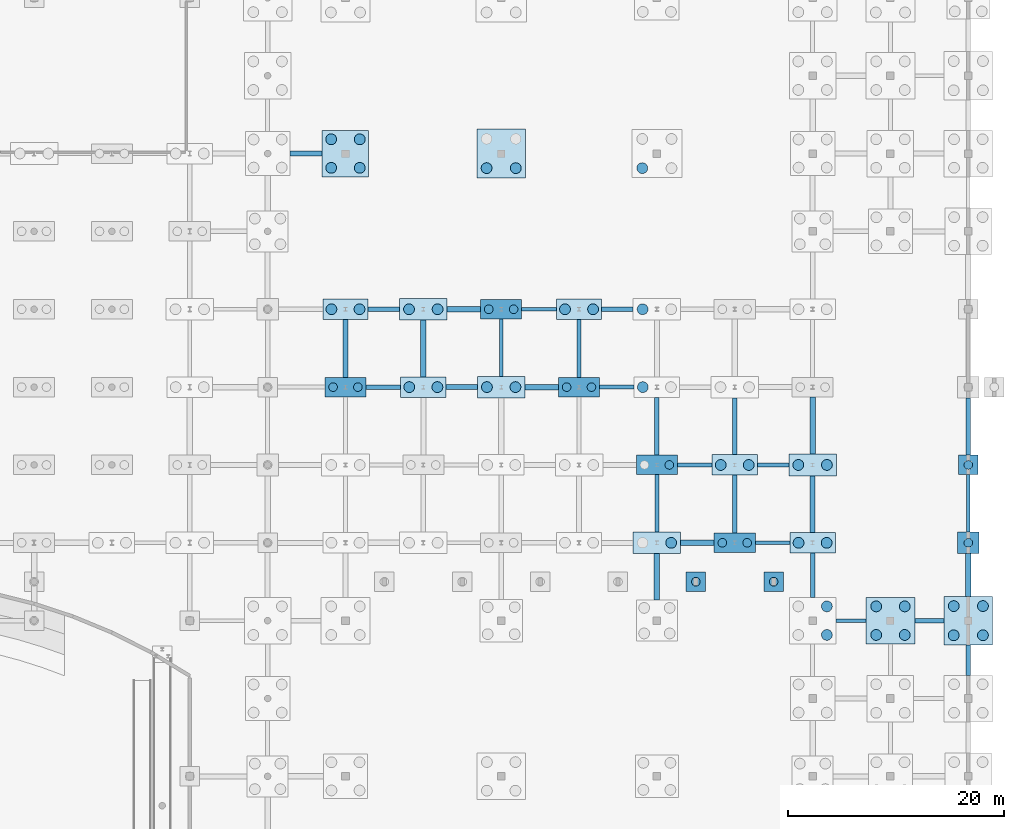
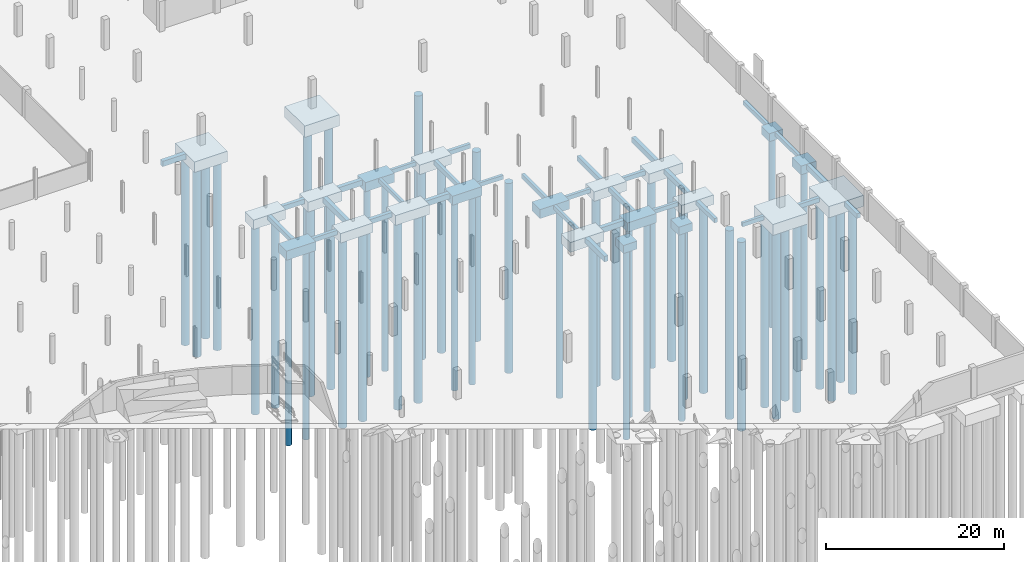
# One storey, part 15 of 56: 53 footings, 49 piles.
"""IFC4 building model written with IfcOpenShell, lengths in metres."""

from ifc_helpers import new_model, si_unit, direction, frame, origin, origin_2d, place, context, subcontext, project, spatial, rectangle, circle, extrude, material, material_profile, profile_set, type_object, element, save


model = new_model("IFC4")

# Units and contexts
model_context = context("Model", 3, precision=1e-05, world=origin(), true_north=direction((0.0, 1.0)))
body_context = subcontext(model_context, "Body", "Model", "MODEL_VIEW")
ifc_project = project(units=[si_unit("LENGTHUNIT", "METRE"), si_unit("AREAUNIT", "SQUARE_METRE"), si_unit("VOLUMEUNIT", "CUBIC_METRE"), si_unit("PLANEANGLEUNIT", "RADIAN"), si_unit("MASSUNIT", "GRAM", prefix="KILO")], contexts=[model_context])

# Site, building, storey
site_placement = place(None, origin())
site = spatial("IfcSite", under=ifc_project, at=site_placement, CompositionType="ELEMENT")
building_placement = place(site_placement, origin())
building = spatial("IfcBuilding", under=site, at=building_placement, Name="Suanplinth Sawtooth Commons", CompositionType="ELEMENT")
storey_placement = place(building_placement, frame((0.0, 0.0, -4.199951171875)))
storey = spatial("IfcBuildingStorey", under=building, at=storey_placement, Name="B1", CompositionType="ELEMENT", Elevation=-4.199951171875)

# Footings
ifc_material_1 = material(Name="Concrete C35/45", Category="concrete")
ifc_material_profile_1 = material_profile(ifc_material_1, rectangle(XDim=0.449951171875, YDim=0.64990234375, at=origin_2d()), Name="PC-GDR 450x650")
ifc_profile_set_1 = profile_set([ifc_material_profile_1], Name="Concrete C35/45")
footing_type_1 = type_object("IfcFootingType", Name="FB-01", PredefinedType="FOOTING_BEAM", material=ifc_profile_set_1)
footing_1_placement = place(storey_placement, frame((129.60009765625, 65.699951171875, -0.824951171875), z_axis=(0.0, 1.0, 0.0), x_axis=(-1.0, 0.0, 0.0)))
element("IfcFooting", 1, at=footing_1_placement, inside=storey, type_object=footing_type_1, Name="Foundation Tie Beam 19/K-L", PredefinedType="FOOTING_BEAM", context=body_context, shape_type="SweptSolid", body=[
    extrude(rectangle(XDim=0.449951171875, YDim=0.64990234375, at=origin_2d()), origin(), (0.0, 0.0, 1.0), 5.35009765625),
])
for number, where, z_axis, x_axis, name in (
    (2, (131.699951171875, 72.0, -0.824951171875), (1.0, 0.0, 0.0), (0.0, 1.0, 0.0), "Foundation Tie Beam 19-20/L"),
    (3, (138.89990234375, 64.800048828125, -0.824951171875), (1.0, 0.0, 0.0), (0.0, 1.0, 0.0), "Foundation Tie Beam 20-21/K"),
):
    element("IfcFooting", number, at=place(storey_placement, frame(where, z_axis=z_axis, x_axis=x_axis)), inside=storey, type_object=footing_type_1, Name=name, PredefinedType="FOOTING_BEAM", context=body_context, shape_type="SweptSolid", body=[
        extrude(rectangle(XDim=0.449951171875, YDim=0.64990234375, at=origin_2d()), origin(), (0.0, 0.0, 1.0), 2.900146484375),
    ])
for number, where, z_axis, x_axis, name in (
    (4, (165.60009765625, 58.550048828125, -0.824951171875), (0.0, 1.0, 0.0), (-1.0, 0.0, 0.0), "Foundation Tie Beam 24/J-K"),
    (5, (172.800048828125, 51.35009765625, -0.824951171875), (0.0, 1.0, 0.0), (-1.0, 0.0, 0.0), "Foundation Tie Beam 25/H-J"),
):
    element("IfcFooting", number, at=place(storey_placement, frame(where, z_axis=z_axis, x_axis=x_axis)), inside=storey, type_object=footing_type_1, Name=name, PredefinedType="FOOTING_BEAM", context=body_context, shape_type="SweptSolid", body=[
        extrude(rectangle(XDim=0.449951171875, YDim=0.64990234375, at=origin_2d()), origin(), (0.0, 0.0, 1.0), 5.25),
    ])
footing_2_placement = place(storey_placement, frame((187.199951171875, 38.14990234375, -0.824951171875), z_axis=(0.0, 1.0, 0.0), x_axis=(-1.0, 0.0, 0.0)))
element("IfcFooting", 6, at=footing_2_placement, inside=storey, type_object=footing_type_1, Name="Foundation Tie Beam 27/F-G", PredefinedType="FOOTING_BEAM", context=body_context, shape_type="SweptSolid", body=[
    extrude(rectangle(XDim=0.449951171875, YDim=0.64990234375, at=origin_2d()), origin(), (0.0, 0.0, 1.0), 2.800048828125),
])
ifc_material_profile_2 = material_profile(ifc_material_1, rectangle(XDim=0.5, YDim=0.75, at=origin_2d()), Name="RC-GDR 500x750")
ifc_profile_set_2 = profile_set([ifc_material_profile_2], Name="Concrete C35/45")
footing_type_2 = type_object("IfcFootingType", Name="FB-02", PredefinedType="FOOTING_BEAM", material=ifc_profile_set_2)
footing_3_placement = place(storey_placement, frame((124.449951171875, 86.39990234375, -0.875), z_axis=(1.0, 0.0, 0.0), x_axis=(0.0, 1.0, 0.0)))
element("IfcFooting", 7, at=footing_3_placement, inside=storey, type_object=footing_type_2, Name="Foundation Tie Beam 18-19/N", PredefinedType="FOOTING_BEAM", context=body_context, shape_type="SweptSolid", body=[
    extrude(rectangle(XDim=0.5, YDim=0.75, at=origin_2d()), origin(), (0.0, 0.0, 1.0), 3.0),
])
footing_4_placement = place(storey_placement, frame((136.800048828125, 65.75, -0.875), z_axis=(0.0, 1.0, 0.0), x_axis=(-1.0, 0.0, 0.0)))
element("IfcFooting", 8, at=footing_4_placement, inside=storey, type_object=footing_type_2, Name="Foundation Tie Beam 20/K-L", PredefinedType="FOOTING_BEAM", context=body_context, shape_type="SweptSolid", body=[
    extrude(rectangle(XDim=0.5, YDim=0.75, at=origin_2d()), origin(), (0.0, 0.0, 1.0), 5.25),
])
for number, where, z_axis, x_axis, name in (
    (9, (139.0, 72.0, -0.875), (1.0, 0.0, 0.0), (0.0, 1.0, 0.0), "Foundation Tie Beam 20-21/L"),
    (10, (146.199951171875, 64.800048828125, -0.875), (1.0, 0.0, 0.0), (0.0, 1.0, 0.0), "Foundation Tie Beam 21-22/K"),
):
    element("IfcFooting", number, at=place(storey_placement, frame(where, z_axis=z_axis, x_axis=x_axis)), inside=storey, type_object=footing_type_2, Name=name, PredefinedType="FOOTING_BEAM", context=body_context, shape_type="SweptSolid", body=[
        extrude(rectangle(XDim=0.5, YDim=0.75, at=origin_2d()), origin(), (0.0, 0.0, 1.0), 3.10009765625),
    ])
footing_5_placement = place(storey_placement, frame((158.39990234375, 45.10009765625, -0.875), z_axis=(0.0, 1.0, 0.0), x_axis=(-1.0, 0.0, 0.0)))
element("IfcFooting", 11, at=footing_5_placement, inside=storey, type_object=footing_type_2, Name="Foundation Tie Beam 23/G-H", PredefinedType="FOOTING_BEAM", context=body_context, shape_type="SweptSolid", body=[
    extrude(rectangle(XDim=0.5, YDim=0.75, at=origin_2d()), origin(), (0.0, 0.0, 1.0), 4.2998046875),
])
footing_6_placement = place(storey_placement, frame((160.60009765625, 50.39990234375, -0.875), z_axis=(1.0, 0.0, 0.0), x_axis=(0.0, 1.0, 0.0)))
element("IfcFooting", 12, at=footing_6_placement, inside=storey, type_object=footing_type_2, Name="Foundation Tie Beam 23-24/H", PredefinedType="FOOTING_BEAM", context=body_context, shape_type="SweptSolid", body=[
    extrude(rectangle(XDim=0.5, YDim=0.75, at=origin_2d()), origin(), (0.0, 0.0, 1.0), 3.099853515625),
])
footing_7_placement = place(storey_placement, frame((172.800048828125, 58.60009765625, -0.875), z_axis=(0.0, 1.0, 0.0), x_axis=(-1.0, 0.0, 0.0)))
element("IfcFooting", 13, at=footing_7_placement, inside=storey, type_object=footing_type_2, Name="Foundation Tie Beam 25/J-K", PredefinedType="FOOTING_BEAM", context=body_context, shape_type="SweptSolid", body=[
    extrude(rectangle(XDim=0.5, YDim=0.75, at=origin_2d()), origin(), (0.0, 0.0, 1.0), 5.2998046875),
])
footing_8_placement = place(storey_placement, frame((187.199951171875, 45.449951171875, -0.875), z_axis=(0.0, 1.0, 0.0), x_axis=(-1.0, 0.0, 0.0)))
element("IfcFooting", 14, at=footing_8_placement, inside=storey, type_object=footing_type_2, Name="Foundation Tie Beam 27/G-H", PredefinedType="FOOTING_BEAM", context=body_context, shape_type="SweptSolid", body=[
    extrude(rectangle(XDim=0.5, YDim=0.75, at=origin_2d()), origin(), (0.0, 0.0, 1.0), 3.949951171875),
])
ifc_material_profile_3 = material_profile(ifc_material_1, rectangle(XDim=0.35009765625, YDim=0.550048828125, at=origin_2d()), Name="PC-BM 350x550")
ifc_profile_set_3 = profile_set([ifc_material_profile_3], Name="Concrete C35/45")
footing_type_3 = type_object("IfcFootingType", Name="FB-03", PredefinedType="FOOTING_BEAM", material=ifc_profile_set_3)
footing_9_placement = place(storey_placement, frame((144.0, 65.800048828125, -0.775146484375), z_axis=(0.0, 1.0, 0.0), x_axis=(-1.0, 0.0, 0.0)))
element("IfcFooting", 15, at=footing_9_placement, inside=storey, type_object=footing_type_3, Name="Foundation Tie Beam 21/K-L", PredefinedType="FOOTING_BEAM", context=body_context, shape_type="SweptSolid", body=[
    extrude(rectangle(XDim=0.35009765625, YDim=0.550048828125, at=origin_2d()), origin(), (0.0, 0.0, 1.0), 5.300048828125),
])
footing_10_placement = place(storey_placement, frame((145.89990234375, 72.0, -0.775146484375), z_axis=(1.0, 0.0, 0.0), x_axis=(0.0, 1.0, 0.0)))
element("IfcFooting", 16, at=footing_10_placement, inside=storey, type_object=footing_type_3, Name="Foundation Tie Beam 21-22/L", PredefinedType="FOOTING_BEAM", context=body_context, shape_type="SweptSolid", body=[
    extrude(rectangle(XDim=0.35009765625, YDim=0.550048828125, at=origin_2d()), origin(), (0.0, 0.0, 1.0), 3.2001953125),
])
footing_11_placement = place(storey_placement, frame((153.10009765625, 64.800048828125, -0.775146484375), z_axis=(1.0, 0.0, 0.0), x_axis=(0.0, 1.0, 0.0)))
element("IfcFooting", 17, at=footing_11_placement, inside=storey, type_object=footing_type_3, Name="Foundation Tie Beam 22-23/K", PredefinedType="FOOTING_BEAM", context=body_context, shape_type="SweptSolid", body=[
    extrude(rectangle(XDim=0.35009765625, YDim=0.550048828125, at=origin_2d()), origin(), (0.0, 0.0, 1.0), 3.199951171875),
])
footing_12_placement = place(storey_placement, frame((158.39990234375, 51.39990234375, -0.775146484375), z_axis=(0.0, 1.0, 0.0), x_axis=(-1.0, 0.0, 0.0)))
element("IfcFooting", 18, at=footing_12_placement, inside=storey, type_object=footing_type_3, Name="Foundation Tie Beam 23/H-J", PredefinedType="FOOTING_BEAM", context=body_context, shape_type="SweptSolid", body=[
    extrude(rectangle(XDim=0.35009765625, YDim=0.550048828125, at=origin_2d()), origin(), (0.0, 0.0, 1.0), 5.300048828125),
])
for number, where, z_axis, x_axis, name in (
    (19, (160.300048828125, 57.60009765625, -0.775146484375), (1.0, 0.0, 0.0), (0.0, 1.0, 0.0), "Foundation Tie Beam 23-24/J"),
    (20, (167.5, 50.39990234375, -0.775146484375), (1.0, 0.0, 0.0), (0.0, 1.0, 0.0), "Foundation Tie Beam 24-25/H"),
):
    element("IfcFooting", number, at=place(storey_placement, frame(where, z_axis=z_axis, x_axis=x_axis)), inside=storey, type_object=footing_type_3, Name=name, PredefinedType="FOOTING_BEAM", context=body_context, shape_type="SweptSolid", body=[
        extrude(rectangle(XDim=0.35009765625, YDim=0.550048828125, at=origin_2d()), origin(), (0.0, 0.0, 1.0), 3.199951171875),
    ])
footing_13_placement = place(storey_placement, frame((174.949951171875, 43.199951171875, -0.775146484375), z_axis=(1.0, 0.0, 0.0), x_axis=(0.0, 1.0, 0.0)))
element("IfcFooting", 21, at=footing_13_placement, inside=storey, type_object=footing_type_3, Name="Foundation Tie Beam 25-26/G", PredefinedType="FOOTING_BEAM", context=body_context, shape_type="SweptSolid", body=[
    extrude(rectangle(XDim=0.35009765625, YDim=0.550048828125, at=origin_2d()), origin(), (0.0, 0.0, 1.0), 2.800048828125),
])
footing_14_placement = place(storey_placement, frame((187.199951171875, 51.39990234375, -0.775146484375), z_axis=(0.0, 1.0, 0.0), x_axis=(-1.0, 0.0, 0.0)))
element("IfcFooting", 22, at=footing_14_placement, inside=storey, type_object=footing_type_3, Name="Foundation Tie Beam 27/H-J", PredefinedType="FOOTING_BEAM", context=body_context, shape_type="SweptSolid", body=[
    extrude(rectangle(XDim=0.35009765625, YDim=0.550048828125, at=origin_2d()), origin(), (0.0, 0.0, 1.0), 5.300048828125),
])
ifc_material_profile_4 = material_profile(ifc_material_1, rectangle(XDim=0.39990234375, YDim=0.60009765625, at=origin_2d()), Name="PC-GDR 400x600")
ifc_profile_set_4 = profile_set([ifc_material_profile_4], Name="Concrete C35/45")
footing_type_4 = type_object("IfcFootingType", Name="FB-04", PredefinedType="FOOTING_BEAM", material=ifc_profile_set_4)
footing_15_placement = place(storey_placement, frame((131.5, 64.800048828125, -0.800048828125), z_axis=(1.0, 0.0, 0.0), x_axis=(0.0, 1.0, 0.0)))
element("IfcFooting", 23, at=footing_15_placement, inside=storey, type_object=footing_type_4, Name="Foundation Tie Beam 19-20/K", PredefinedType="FOOTING_BEAM", context=body_context, shape_type="SweptSolid", body=[
    extrude(rectangle(XDim=0.39990234375, YDim=0.60009765625, at=origin_2d()), origin(), (0.0, 0.0, 1.0), 3.199951171875),
])
footing_16_placement = place(storey_placement, frame((151.199951171875, 65.699951171875, -0.800048828125), z_axis=(0.0, 1.0, 0.0), x_axis=(-1.0, 0.0, 0.0)))
element("IfcFooting", 24, at=footing_16_placement, inside=storey, type_object=footing_type_4, Name="Foundation Tie Beam 22/K-L", PredefinedType="FOOTING_BEAM", context=body_context, shape_type="SweptSolid", body=[
    extrude(rectangle(XDim=0.39990234375, YDim=0.60009765625, at=origin_2d()), origin(), (0.0, 0.0, 1.0), 5.35009765625),
])
footing_17_placement = place(storey_placement, frame((153.300048828125, 72.0, -0.800048828125), z_axis=(1.0, 0.0, 0.0), x_axis=(0.0, 1.0, 0.0)))
element("IfcFooting", 25, at=footing_17_placement, inside=storey, type_object=footing_type_4, Name="Foundation Tie Beam 22-23/L", PredefinedType="FOOTING_BEAM", context=body_context, shape_type="SweptSolid", body=[
    extrude(rectangle(XDim=0.39990234375, YDim=0.60009765625, at=origin_2d()), origin(), (0.0, 0.0, 1.0), 2.89990234375),
])
footing_18_placement = place(storey_placement, frame((158.39990234375, 58.5, -0.800048828125), z_axis=(0.0, 1.0, 0.0), x_axis=(-1.0, 0.0, 0.0)))
element("IfcFooting", 26, at=footing_18_placement, inside=storey, type_object=footing_type_4, Name="Foundation Tie Beam 23/J-K", PredefinedType="FOOTING_BEAM", context=body_context, shape_type="SweptSolid", body=[
    extrude(rectangle(XDim=0.39990234375, YDim=0.60009765625, at=origin_2d()), origin(), (0.0, 0.0, 1.0), 5.35009765625),
])
footing_19_placement = place(storey_placement, frame((165.60009765625, 51.300048828125, -0.800048828125), z_axis=(0.0, 1.0, 0.0), x_axis=(-1.0, 0.0, 0.0)))
element("IfcFooting", 27, at=footing_19_placement, inside=storey, type_object=footing_type_4, Name="Foundation Tie Beam 24/H-J", PredefinedType="FOOTING_BEAM", context=body_context, shape_type="SweptSolid", body=[
    extrude(rectangle(XDim=0.39990234375, YDim=0.60009765625, at=origin_2d()), origin(), (0.0, 0.0, 1.0), 5.349853515625),
])
footing_20_placement = place(storey_placement, frame((167.699951171875, 57.60009765625, -0.800048828125), z_axis=(1.0, 0.0, 0.0), x_axis=(0.0, 1.0, 0.0)))
element("IfcFooting", 28, at=footing_20_placement, inside=storey, type_object=footing_type_4, Name="Foundation Tie Beam 24-25/J", PredefinedType="FOOTING_BEAM", context=body_context, shape_type="SweptSolid", body=[
    extrude(rectangle(XDim=0.39990234375, YDim=0.60009765625, at=origin_2d()), origin(), (0.0, 0.0, 1.0), 2.900146484375),
])
footing_21_placement = place(storey_placement, frame((172.800048828125, 45.35009765625, -0.800048828125), z_axis=(0.0, 1.0, 0.0), x_axis=(-1.0, 0.0, 0.0)))
element("IfcFooting", 29, at=footing_21_placement, inside=storey, type_object=footing_type_4, Name="Foundation Tie Beam 25/G-H", PredefinedType="FOOTING_BEAM", context=body_context, shape_type="SweptSolid", body=[
    extrude(rectangle(XDim=0.39990234375, YDim=0.60009765625, at=origin_2d()), origin(), (0.0, 0.0, 1.0), 4.099853515625),
])
footing_22_placement = place(storey_placement, frame((182.25, 43.199951171875, -0.800048828125), z_axis=(1.0, 0.0, 0.0), x_axis=(0.0, 1.0, 0.0)))
element("IfcFooting", 30, at=footing_22_placement, inside=storey, type_object=footing_type_4, Name="Foundation Tie Beam 26-27/G", PredefinedType="FOOTING_BEAM", context=body_context, shape_type="SweptSolid", body=[
    extrude(rectangle(XDim=0.39990234375, YDim=0.60009765625, at=origin_2d()), origin(), (0.0, 0.0, 1.0), 2.699951171875),
])
footing_23_placement = place(storey_placement, frame((187.199951171875, 58.5, -0.800048828125), z_axis=(0.0, 1.0, 0.0), x_axis=(-1.0, 0.0, 0.0)))
element("IfcFooting", 31, at=footing_23_placement, inside=storey, type_object=footing_type_4, Name="Foundation Tie Beam 27/J-K", PredefinedType="FOOTING_BEAM", context=body_context, shape_type="SweptSolid", body=[
    extrude(rectangle(XDim=0.39990234375, YDim=0.60009765625, at=origin_2d()), origin(), (0.0, 0.0, 1.0), 5.300048828125),
])
footing_type_5 = type_object("IfcFootingType", Name="FC-01", PredefinedType="PILE_CAP", material=ifc_material_1)
for number, where, z_axis, x_axis, name in (
    (32, (187.199951171875, 57.60009765625, -1.60009765625), (0.0, 0.0, 1.0), (1.0, 0.0, 0.0), "Pile Cap 27/J"),
    (33, (162.0, 46.800048828125, -1.60009765625), (0.0, 0.0, 1.0), (1.0, 0.0, 0.0), "Veranda Pilaster Cap P11"),
    (34, (169.199951171875, 46.800048828125, -1.60009765625), (0.0, 0.0, 1.0), (1.0, 0.0, 0.0), "Veranda Pilaster Cap P12"),
):
    element("IfcFooting", number, at=place(storey_placement, frame(where, z_axis=z_axis, x_axis=x_axis)), inside=storey, type_object=footing_type_5, Name=name, PredefinedType="PILE_CAP", context=body_context, shape_type="SweptSolid", body=[
        extrude(rectangle(XDim=1.800048828125, YDim=1.800048828125, at=origin_2d()), origin(), (0.0, 0.0, 1.0), 1.10009765625),
    ])
footing_type_6 = type_object("IfcFootingType", Name="FC-02", PredefinedType="PILE_CAP", material=ifc_material_1)
footing_24_placement = place(storey_placement, frame((187.199951171875, 50.39990234375, -1.7001953125), z_axis=(0.0, 0.0, 1.0), x_axis=(1.0, 0.0, 0.0)))
element("IfcFooting", 35, at=footing_24_placement, inside=storey, type_object=footing_type_6, Name="Pile Cap 27/H", PredefinedType="PILE_CAP", context=body_context, shape_type="SweptSolid", body=[
    extrude(rectangle(XDim=2.0, YDim=2.0, at=origin_2d()), origin(), (0.0, 0.0, 1.0), 1.199951171875),
])
footing_type_7 = type_object("IfcFootingType", Name="FC-03", PredefinedType="PILE_CAP", material=ifc_material_1)
for number, where, z_axis, x_axis, name in (
    (36, (129.60009765625, 64.800048828125, -1.75), (0.0, 0.0, 1.0), (1.0, 0.0, 0.0), "Pile Cap 19/K"),
    (37, (144.0, 72.0, -1.75), (0.0, 0.0, 1.0), (1.0, 0.0, 0.0), "Pile Cap 21/L"),
    (38, (151.199951171875, 64.800048828125, -1.75), (0.0, 0.0, 1.0), (1.0, 0.0, 0.0), "Pile Cap 22/K"),
    (39, (158.39990234375, 57.60009765625, -1.75), (0.0, 0.0, 1.0), (1.0, 0.0, 0.0), "Pile Cap 23/J"),
    (40, (165.60009765625, 50.39990234375, -1.75), (0.0, 0.0, 1.0), (1.0, 0.0, 0.0), "Pile Cap 24/H"),
):
    element("IfcFooting", number, at=place(storey_placement, frame(where, z_axis=z_axis, x_axis=x_axis)), inside=storey, type_object=footing_type_7, Name=name, PredefinedType="PILE_CAP", context=body_context, shape_type="SweptSolid", body=[
        extrude(rectangle(XDim=3.800048828125, YDim=1.800048828125, at=origin_2d()), origin(), (0.0, 0.0, 1.0), 1.25),
    ])
footing_type_8 = type_object("IfcFootingType", Name="FC-04", PredefinedType="PILE_CAP", material=ifc_material_1)
for number, where, z_axis, x_axis, name in (
    (41, (129.60009765625, 72.0, -1.80029296875), (0.0, 0.0, 1.0), (1.0, 0.0, 0.0), "Pile Cap 19/L"),
    (42, (136.800048828125, 64.800048828125, -1.80029296875), (0.0, 0.0, 1.0), (1.0, 0.0, 0.0), "Pile Cap 20/K"),
    (43, (151.199951171875, 72.0, -1.80029296875), (0.0, 0.0, 1.0), (1.0, 0.0, 0.0), "Pile Cap 22/L"),
    (44, (165.60009765625, 57.60009765625, -1.80029296875), (0.0, 0.0, 1.0), (1.0, 0.0, 0.0), "Pile Cap 24/J"),
    (45, (172.800048828125, 50.39990234375, -1.80029296875), (0.0, 0.0, 1.0), (1.0, 0.0, 0.0), "Pile Cap 25/H"),
):
    element("IfcFooting", number, at=place(storey_placement, frame(where, z_axis=z_axis, x_axis=x_axis)), inside=storey, type_object=footing_type_8, Name=name, PredefinedType="PILE_CAP", context=body_context, shape_type="SweptSolid", body=[
        extrude(rectangle(XDim=4.199951171875, YDim=1.89990234375, at=origin_2d()), origin(), (0.0, 0.0, 1.0), 1.300048828125),
    ])
footing_type_9 = type_object("IfcFootingType", Name="FC-05", PredefinedType="PILE_CAP", material=ifc_material_1)
for number, where, z_axis, x_axis, name in (
    (46, (136.800048828125, 72.0, -1.85009765625), (0.0, 0.0, 1.0), (1.0, 0.0, 0.0), "Pile Cap 20/L"),
    (47, (144.0, 64.800048828125, -1.85009765625), (0.0, 0.0, 1.0), (1.0, 0.0, 0.0), "Pile Cap 21/K"),
    (48, (158.39990234375, 50.39990234375, -1.85009765625), (0.0, 0.0, 1.0), (1.0, 0.0, 0.0), "Pile Cap 23/H"),
    (49, (172.800048828125, 57.60009765625, -1.85009765625), (0.0, 0.0, 1.0), (1.0, 0.0, 0.0), "Pile Cap 25/J"),
):
    element("IfcFooting", number, at=place(storey_placement, frame(where, z_axis=z_axis, x_axis=x_axis)), inside=storey, type_object=footing_type_9, Name=name, PredefinedType="PILE_CAP", context=body_context, shape_type="SweptSolid", body=[
        extrude(rectangle(XDim=4.39990234375, YDim=2.0, at=origin_2d()), origin(), (0.0, 0.0, 1.0), 1.35009765625),
    ])
footing_type_10 = type_object("IfcFootingType", Name="FC-08", PredefinedType="PILE_CAP", material=ifc_material_1)
footing_25_placement = place(storey_placement, frame((129.60009765625, 86.39990234375, -1.9501953125), z_axis=(0.0, 0.0, 1.0), x_axis=(1.0, 0.0, 0.0)))
element("IfcFooting", 50, at=footing_25_placement, inside=storey, type_object=footing_type_10, Name="Pile Cap 19/N", PredefinedType="PILE_CAP", context=body_context, shape_type="SweptSolid", body=[
    extrude(rectangle(XDim=4.300048828125, YDim=4.300048828125, at=origin_2d()), origin(), (0.0, 0.0, 1.0), 1.449951171875),
])
footing_type_11 = type_object("IfcFootingType", Name="FC-09", PredefinedType="PILE_CAP", material=ifc_material_1)
footing_26_placement = place(storey_placement, frame((180.0, 43.199951171875, -2.0), z_axis=(0.0, 0.0, 1.0), x_axis=(1.0, 0.0, 0.0)))
element("IfcFooting", 51, at=footing_26_placement, inside=storey, type_object=footing_type_11, Name="Pile Cap 26/G", PredefinedType="PILE_CAP", context=body_context, shape_type="SweptSolid", body=[
    extrude(rectangle(XDim=4.5, YDim=4.300048828125, at=origin_2d()), origin(), (0.0, 0.0, 1.0), 1.5),
])
footing_type_12 = type_object("IfcFootingType", Name="FC-10", PredefinedType="PILE_CAP", material=ifc_material_1)
for number, where, z_axis, x_axis, name in (
    (52, (144.0, 86.39990234375, -2.05029296875), (0.0, 0.0, 1.0), (1.0, 0.0, 0.0), "Pile Cap 21/N"),
    (53, (187.199951171875, 43.199951171875, -2.05029296875), (0.0, 0.0, 1.0), (1.0, 0.0, 0.0), "Pile Cap 27/G"),
):
    element("IfcFooting", number, at=place(storey_placement, frame(where, z_axis=z_axis, x_axis=x_axis)), inside=storey, type_object=footing_type_12, Name=name, PredefinedType="PILE_CAP", context=body_context, shape_type="SweptSolid", body=[
        extrude(rectangle(XDim=4.5, YDim=4.5, at=origin_2d()), origin(), (0.0, 0.0, 1.0), 1.550048828125),
    ])

# Piles
ifc_material_2 = material(Name="Concrete C32/40", Category="concrete")
ifc_material_profile_5 = material_profile(ifc_material_2, circle(Radius=0.39990234375, at=origin_2d()), Name="PILE D800")
ifc_profile_set_5 = profile_set([ifc_material_profile_5], Name="Concrete C32/40")
pile_type_1 = type_object("IfcPileType", Name="P-01", PredefinedType="BORED", material=ifc_profile_set_5)
for number, where, z_axis, x_axis, name in (
    (54, (128.449951171875, 64.800048828125, -1.650146484375), (0.0, 0.0, -1.0), (1.0, 0.0, 0.0), "Bored Pile 19/K-1"),
    (55, (130.75, 64.800048828125, -1.650146484375), (0.0, 0.0, -1.0), (1.0, 0.0, 0.0), "Bored Pile 19/K-2"),
    (56, (142.85009765625, 72.0, -1.650146484375), (0.0, 0.0, -1.0), (1.0, 0.0, 0.0), "Bored Pile 21/L-1"),
    (57, (145.14990234375, 72.0, -1.650146484375), (0.0, 0.0, -1.0), (1.0, 0.0, 0.0), "Bored Pile 21/L-2"),
    (58, (150.050048828125, 64.800048828125, -1.650146484375), (0.0, 0.0, -1.0), (1.0, 0.0, 0.0), "Bored Pile 22/K-1"),
    (59, (152.35009765625, 64.800048828125, -1.650146484375), (0.0, 0.0, -1.0), (1.0, 0.0, 0.0), "Bored Pile 22/K-2"),
    (60, (159.550048828125, 57.60009765625, -1.650146484375), (0.0, 0.0, -1.0), (1.0, 0.0, 0.0), "Bored Pile 23/J-2"),
    (61, (164.449951171875, 50.39990234375, -1.650146484375), (0.0, 0.0, -1.0), (1.0, 0.0, 0.0), "Bored Pile 24/H-1"),
    (62, (166.75, 50.39990234375, -1.650146484375), (0.0, 0.0, -1.0), (1.0, 0.0, 0.0), "Bored Pile 24/H-2"),
):
    element("IfcPile", number, at=place(storey_placement, frame(where, z_axis=z_axis, x_axis=x_axis)), inside=storey, type_object=pile_type_1, Name=name, PredefinedType="BORED", context=body_context, shape_type="SweptSolid", body=[
        extrude(circle(Radius=0.39990234375, at=origin_2d()), origin(), (0.0, 0.0, 1.0), 26.14990234375),
    ])
pile_1_placement = place(storey_placement, frame((187.199951171875, 50.39990234375, -1.60009765625), z_axis=(0.0, 0.0, -1.0), x_axis=(1.0, 0.0, 0.0)))
element("IfcPile", 63, at=pile_1_placement, inside=storey, type_object=pile_type_1, Name="Bored Pile 27/H-1", PredefinedType="BORED", context=body_context, shape_type="SweptSolid", body=[
    extrude(circle(Radius=0.39990234375, at=origin_2d()), origin(), (0.0, 0.0, 1.0), 26.199951171875),
])
for number, where, z_axis, x_axis, name in (
    (64, (187.199951171875, 57.60009765625, -1.5), (0.0, 0.0, -1.0), (1.0, 0.0, 0.0), "Bored Pile 27/J-1"),
    (65, (162.0, 46.800048828125, -1.5), (0.0, 0.0, -1.0), (1.0, 0.0, 0.0), "Veranda Pilaster Pile P11"),
    (66, (169.199951171875, 46.800048828125, -1.5), (0.0, 0.0, -1.0), (1.0, 0.0, 0.0), "Veranda Pilaster Pile P12"),
):
    element("IfcPile", number, at=place(storey_placement, frame(where, z_axis=z_axis, x_axis=x_axis)), inside=storey, type_object=pile_type_1, Name=name, PredefinedType="BORED", context=body_context, shape_type="SweptSolid", body=[
        extrude(circle(Radius=0.39990234375, at=origin_2d()), origin(), (0.0, 0.0, 1.0), 26.300048828125),
    ])
ifc_material_profile_6 = material_profile(ifc_material_2, circle(Radius=0.5, at=origin_2d()), Name="PILE D1000")
ifc_profile_set_6 = profile_set([ifc_material_profile_6], Name="Concrete C32/40")
pile_type_2 = type_object("IfcPileType", Name="P-02", PredefinedType="BORED", material=ifc_profile_set_6)
for number, where, z_axis, x_axis, name in (
    (67, (128.300048828125, 72.0, -1.699951171875), (0.0, 0.0, -1.0), (1.0, 0.0, 0.0), "Bored Pile 19/L-1"),
    (68, (130.89990234375, 72.0, -1.699951171875), (0.0, 0.0, -1.0), (1.0, 0.0, 0.0), "Bored Pile 19/L-2"),
):
    element("IfcPile", number, at=place(storey_placement, frame(where, z_axis=z_axis, x_axis=x_axis)), inside=storey, type_object=pile_type_2, Name=name, PredefinedType="BORED", context=body_context, shape_type="SweptSolid", body=[
        extrude(circle(Radius=0.5, at=origin_2d()), origin(), (0.0, 0.0, 1.0), 26.10009765625),
    ])
for number, where, z_axis, x_axis, name in (
    (69, (128.280029296875, 85.080078125, -1.85009765625), (0.0, 0.0, -1.0), (1.0, 0.0, 0.0), "Bored Pile 19/N-1"),
    (70, (130.919921875, 85.080078125, -1.85009765625), (0.0, 0.0, -1.0), (1.0, 0.0, 0.0), "Bored Pile 19/N-2"),
    (71, (128.280029296875, 87.719970703125, -1.85009765625), (0.0, 0.0, -1.0), (1.0, 0.0, 0.0), "Bored Pile 19/N-3"),
    (72, (130.919921875, 87.719970703125, -1.85009765625), (0.0, 0.0, -1.0), (1.0, 0.0, 0.0), "Bored Pile 19/N-4"),
):
    element("IfcPile", number, at=place(storey_placement, frame(where, z_axis=z_axis, x_axis=x_axis)), inside=storey, type_object=pile_type_2, Name=name, PredefinedType="BORED", context=body_context, shape_type="SweptSolid", body=[
        extrude(circle(Radius=0.5, at=origin_2d()), origin(), (0.0, 0.0, 1.0), 25.949951171875),
    ])
for number, where, z_axis, x_axis, name in (
    (73, (135.5, 64.800048828125, -1.699951171875), (0.0, 0.0, -1.0), (1.0, 0.0, 0.0), "Bored Pile 20/K-1"),
    (74, (138.10009765625, 64.800048828125, -1.699951171875), (0.0, 0.0, -1.0), (1.0, 0.0, 0.0), "Bored Pile 20/K-2"),
):
    element("IfcPile", number, at=place(storey_placement, frame(where, z_axis=z_axis, x_axis=x_axis)), inside=storey, type_object=pile_type_2, Name=name, PredefinedType="BORED", context=body_context, shape_type="SweptSolid", body=[
        extrude(circle(Radius=0.5, at=origin_2d()), origin(), (0.0, 0.0, 1.0), 26.10009765625),
    ])
for number, where, z_axis, x_axis, name in (
    (75, (135.47998046875, 72.0, -1.75), (0.0, 0.0, -1.0), (1.0, 0.0, 0.0), "Bored Pile 20/L-1"),
    (76, (138.1201171875, 72.0, -1.75), (0.0, 0.0, -1.0), (1.0, 0.0, 0.0), "Bored Pile 20/L-2"),
    (77, (142.679931640625, 64.800048828125, -1.75), (0.0, 0.0, -1.0), (1.0, 0.0, 0.0), "Bored Pile 21/K-1"),
    (78, (145.320068359375, 64.800048828125, -1.75), (0.0, 0.0, -1.0), (1.0, 0.0, 0.0), "Bored Pile 21/K-2"),
):
    element("IfcPile", number, at=place(storey_placement, frame(where, z_axis=z_axis, x_axis=x_axis)), inside=storey, type_object=pile_type_2, Name=name, PredefinedType="BORED", context=body_context, shape_type="SweptSolid", body=[
        extrude(circle(Radius=0.5, at=origin_2d()), origin(), (0.0, 0.0, 1.0), 26.050048828125),
    ])
for number, where, z_axis, x_axis, name in (
    (79, (142.64990234375, 85.050048828125, -1.949951171875), (0.0, 0.0, -1.0), (1.0, 0.0, 0.0), "Bored Pile 21/N-1"),
    (80, (145.35009765625, 85.050048828125, -1.949951171875), (0.0, 0.0, -1.0), (1.0, 0.0, 0.0), "Bored Pile 21/N-2"),
):
    element("IfcPile", number, at=place(storey_placement, frame(where, z_axis=z_axis, x_axis=x_axis)), inside=storey, type_object=pile_type_2, Name=name, PredefinedType="BORED", context=body_context, shape_type="SweptSolid", body=[
        extrude(circle(Radius=0.5, at=origin_2d()), origin(), (0.0, 0.0, 1.0), 25.85009765625),
    ])
for number, where, z_axis, x_axis, name in (
    (81, (149.89990234375, 72.0, -1.699951171875), (0.0, 0.0, -1.0), (1.0, 0.0, 0.0), "Bored Pile 22/L-1"),
    (82, (152.5, 72.0, -1.699951171875), (0.0, 0.0, -1.0), (1.0, 0.0, 0.0), "Bored Pile 22/L-2"),
):
    element("IfcPile", number, at=place(storey_placement, frame(where, z_axis=z_axis, x_axis=x_axis)), inside=storey, type_object=pile_type_2, Name=name, PredefinedType="BORED", context=body_context, shape_type="SweptSolid", body=[
        extrude(circle(Radius=0.5, at=origin_2d()), origin(), (0.0, 0.0, 1.0), 26.10009765625),
    ])
pile_2_placement = place(storey_placement, frame((159.719970703125, 50.39990234375, -1.75), z_axis=(0.0, 0.0, -1.0), x_axis=(1.0, 0.0, 0.0)))
element("IfcPile", 83, at=pile_2_placement, inside=storey, type_object=pile_type_2, Name="Bored Pile 23/H-2", PredefinedType="BORED", context=body_context, shape_type="SweptSolid", body=[
    extrude(circle(Radius=0.5, at=origin_2d()), origin(), (0.0, 0.0, 1.0), 26.050048828125),
])
pile_3_placement = place(storey_placement, frame((157.10009765625, 64.800048828125, -1.699951171875), z_axis=(0.0, 0.0, -1.0), x_axis=(1.0, 0.0, 0.0)))
element("IfcPile", 84, at=pile_3_placement, inside=storey, type_object=pile_type_2, Name="Bored Pile 23/K-1", PredefinedType="BORED", context=body_context, shape_type="SweptSolid", body=[
    extrude(circle(Radius=0.5, at=origin_2d()), origin(), (0.0, 0.0, 1.0), 26.10009765625),
])
pile_4_placement = place(storey_placement, frame((157.080078125, 72.0, -1.75), z_axis=(0.0, 0.0, -1.0), x_axis=(1.0, 0.0, 0.0)))
element("IfcPile", 85, at=pile_4_placement, inside=storey, type_object=pile_type_2, Name="Bored Pile 23/L-1", PredefinedType="BORED", context=body_context, shape_type="SweptSolid", body=[
    extrude(circle(Radius=0.5, at=origin_2d()), origin(), (0.0, 0.0, 1.0), 26.050048828125),
])
pile_5_placement = place(storey_placement, frame((157.050048828125, 85.050048828125, -1.920166015625), z_axis=(0.0, 0.0, -1.0), x_axis=(1.0, 0.0, 0.0)))
element("IfcPile", 86, at=pile_5_placement, inside=storey, type_object=pile_type_2, Name="Bored Pile 23/N-1", PredefinedType="BORED", context=body_context, shape_type="SweptSolid", body=[
    extrude(circle(Radius=0.5, at=origin_2d()), origin(), (0.0, 0.0, 1.0), 25.8798828125),
])
for number, where, z_axis, x_axis, name in (
    (87, (164.300048828125, 57.60009765625, -1.699951171875), (0.0, 0.0, -1.0), (1.0, 0.0, 0.0), "Bored Pile 24/J-1"),
    (88, (166.89990234375, 57.60009765625, -1.699951171875), (0.0, 0.0, -1.0), (1.0, 0.0, 0.0), "Bored Pile 24/J-2"),
):
    element("IfcPile", number, at=place(storey_placement, frame(where, z_axis=z_axis, x_axis=x_axis)), inside=storey, type_object=pile_type_2, Name=name, PredefinedType="BORED", context=body_context, shape_type="SweptSolid", body=[
        extrude(circle(Radius=0.5, at=origin_2d()), origin(), (0.0, 0.0, 1.0), 26.10009765625),
    ])
for number, where, z_axis, x_axis, name in (
    (89, (174.1201171875, 41.8798828125, -1.85009765625), (0.0, 0.0, -1.0), (1.0, 0.0, 0.0), "Bored Pile 25/G-2"),
    (90, (174.1201171875, 44.52001953125, -1.85009765625), (0.0, 0.0, -1.0), (1.0, 0.0, 0.0), "Bored Pile 25/G-4"),
):
    element("IfcPile", number, at=place(storey_placement, frame(where, z_axis=z_axis, x_axis=x_axis)), inside=storey, type_object=pile_type_2, Name=name, PredefinedType="BORED", context=body_context, shape_type="SweptSolid", body=[
        extrude(circle(Radius=0.5, at=origin_2d()), origin(), (0.0, 0.0, 1.0), 25.949951171875),
    ])
for number, where, z_axis, x_axis, name in (
    (91, (171.5, 50.39990234375, -1.699951171875), (0.0, 0.0, -1.0), (1.0, 0.0, 0.0), "Bored Pile 25/H-1"),
    (92, (174.10009765625, 50.39990234375, -1.699951171875), (0.0, 0.0, -1.0), (1.0, 0.0, 0.0), "Bored Pile 25/H-2"),
):
    element("IfcPile", number, at=place(storey_placement, frame(where, z_axis=z_axis, x_axis=x_axis)), inside=storey, type_object=pile_type_2, Name=name, PredefinedType="BORED", context=body_context, shape_type="SweptSolid", body=[
        extrude(circle(Radius=0.5, at=origin_2d()), origin(), (0.0, 0.0, 1.0), 26.10009765625),
    ])
for number, where, z_axis, x_axis, name in (
    (93, (171.47998046875, 57.60009765625, -1.75), (0.0, 0.0, -1.0), (1.0, 0.0, 0.0), "Bored Pile 25/J-1"),
    (94, (174.1201171875, 57.60009765625, -1.75), (0.0, 0.0, -1.0), (1.0, 0.0, 0.0), "Bored Pile 25/J-2"),
):
    element("IfcPile", number, at=place(storey_placement, frame(where, z_axis=z_axis, x_axis=x_axis)), inside=storey, type_object=pile_type_2, Name=name, PredefinedType="BORED", context=body_context, shape_type="SweptSolid", body=[
        extrude(circle(Radius=0.5, at=origin_2d()), origin(), (0.0, 0.0, 1.0), 26.050048828125),
    ])
for number, where, z_axis, x_axis, name in (
    (95, (178.679931640625, 41.8798828125, -1.900146484375), (0.0, 0.0, -1.0), (1.0, 0.0, 0.0), "Bored Pile 26/G-1"),
    (96, (181.320068359375, 41.8798828125, -1.900146484375), (0.0, 0.0, -1.0), (1.0, 0.0, 0.0), "Bored Pile 26/G-2"),
    (97, (178.679931640625, 44.52001953125, -1.900146484375), (0.0, 0.0, -1.0), (1.0, 0.0, 0.0), "Bored Pile 26/G-3"),
    (98, (181.320068359375, 44.52001953125, -1.900146484375), (0.0, 0.0, -1.0), (1.0, 0.0, 0.0), "Bored Pile 26/G-4"),
):
    element("IfcPile", number, at=place(storey_placement, frame(where, z_axis=z_axis, x_axis=x_axis)), inside=storey, type_object=pile_type_2, Name=name, PredefinedType="BORED", context=body_context, shape_type="SweptSolid", body=[
        extrude(circle(Radius=0.5, at=origin_2d()), origin(), (0.0, 0.0, 1.0), 25.89990234375),
    ])
for number, where, z_axis, x_axis, name in (
    (99, (185.85009765625, 41.85009765625, -1.949951171875), (0.0, 0.0, -1.0), (1.0, 0.0, 0.0), "Bored Pile 27/G-1"),
    (100, (188.550048828125, 41.85009765625, -1.949951171875), (0.0, 0.0, -1.0), (1.0, 0.0, 0.0), "Bored Pile 27/G-2"),
    (101, (185.85009765625, 44.550048828125, -1.949951171875), (0.0, 0.0, -1.0), (1.0, 0.0, 0.0), "Bored Pile 27/G-3"),
    (102, (188.550048828125, 44.550048828125, -1.949951171875), (0.0, 0.0, -1.0), (1.0, 0.0, 0.0), "Bored Pile 27/G-4"),
):
    element("IfcPile", number, at=place(storey_placement, frame(where, z_axis=z_axis, x_axis=x_axis)), inside=storey, type_object=pile_type_2, Name=name, PredefinedType="BORED", context=body_context, shape_type="SweptSolid", body=[
        extrude(circle(Radius=0.5, at=origin_2d()), origin(), (0.0, 0.0, 1.0), 25.85009765625),
    ])

save(model, "model.ifc")
